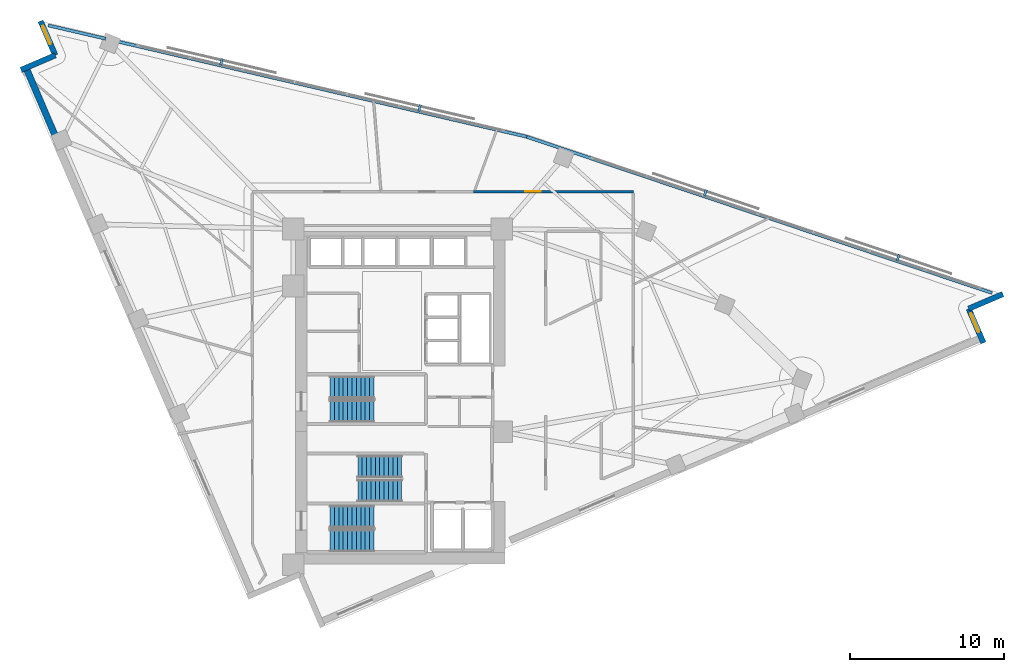
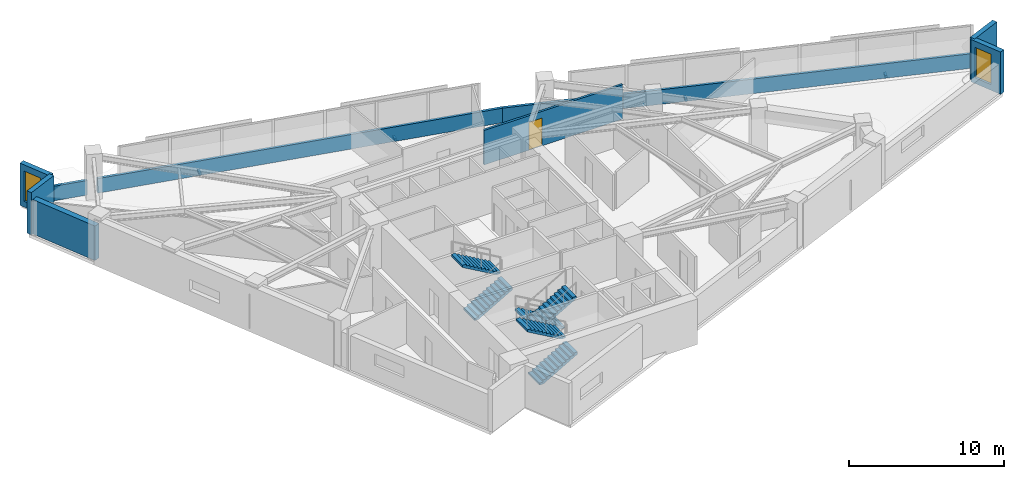
# One storey, part 12 of 14: 9 walls, 6 stair flights, 4 discrete accessories, 2 windows, 1 door, 3 openings, 3 elements without a shape of their own.
"""IFC4 building model written with IfcOpenShell, lengths in metres."""

from ifc_helpers import new_model, si_unit, direction, frame, frame_2d, origin, origin_2d, place, context, subcontext, project, spatial, polyline, rectangle, outline, extrude, material, layer, layer_set, type_object, element, fill, aggregate, save


model = new_model("IFC4")

# Units and contexts
model_context = context("Model", 3, precision=1e-05, world=origin(), true_north=direction((0.0, 1.0)))
body_context = subcontext(model_context, "Body", "Model", "MODEL_VIEW")
ifc_project = project(units=[si_unit("LENGTHUNIT", "METRE"), si_unit("AREAUNIT", "SQUARE_METRE"), si_unit("VOLUMEUNIT", "CUBIC_METRE"), si_unit("PLANEANGLEUNIT", "RADIAN"), si_unit("MASSUNIT", "GRAM", prefix="KILO")], contexts=[model_context])

# Site, building, storey
site_placement = place(None, origin())
site = spatial("IfcSite", under=ifc_project, at=site_placement, CompositionType="ELEMENT")
building_placement = place(site_placement, origin())
building = spatial("IfcBuilding", under=site, at=building_placement, Name="Narakoshi Arena Tower", CompositionType="ELEMENT")
storey_placement = place(building_placement, frame((0.0, 0.0, 175.5)))
storey = spatial("IfcBuildingStorey", under=building, at=storey_placement, Name="L47", CompositionType="ELEMENT", Elevation=175.5)

# Wall, opening, door
ifc_material_1 = material(Name="Gypsum plasterboard fire-rated partition")
ifc_layer_1 = layer(ifc_material_1, 0.1650390625)
ifc_layer_set_1 = layer_set([ifc_layer_1], Name="Gypsum plasterboard fire-rated partition")
wall_type_1 = type_object("IfcWallType", Name="WL-CORR-165", PredefinedType="PARTITIONING", material=ifc_layer_set_1)
wall_1_placement = place(storey_placement, frame((94.0849609375, 58.927978515625, 0.0), z_axis=(0.0, 0.0, 1.0), x_axis=(-1.0, 0.0, 0.0)))
wall_1 = element("IfcWall", 1, at=wall_1_placement, inside=storey, type_object=wall_type_1, Name="L47 Corridor Partition 05-1", PredefinedType="PARTITIONING", context=body_context, shape_type="SweptSolid", body=[
    extrude(rectangle(XDim=10.362548828125, YDim=0.1650390625, at=frame_2d((5.18115234375, 0.0))), origin(), (0.0, 0.0, 1.0), 2.72509765625),
])
opening_1_placement = place(wall_1_placement, frame((6.025634765625, 0.0, 0.0)))
opening_1 = element("IfcOpeningElement", 2, at=opening_1_placement, cuts=wall_1, Name="Opening D-06", PredefinedType="OPENING", context=body_context, shape_type="SweptSolid", body=[
    extrude(rectangle(XDim=1.0, YDim=2.199951171875, at=frame_2d((0.5, 1.10009765625))), frame((0.0, 0.092529296875, 0.0), z_axis=(0.0, -1.0, 0.0), x_axis=(1.0, 0.0, 0.0)), (0.0, 0.0, 1.0), 0.18505859375),
])
ifc_material_2 = material(Name="Stained oak solid-core timber", Category="wood")
door_type = type_object("IfcDoorType", Name="DR-OFF-1000", OperationType="NOTDEFINED", PredefinedType="DOOR", material=ifc_material_2)
door_placement = place(opening_1_placement, frame((1.0, 0.0, 0.0), z_axis=(0.0, 0.0, 1.0), x_axis=(-1.0, 0.0, 0.0)))
door = element("IfcDoor", 3, at=door_placement, inside=storey, type_object=door_type, Name="DR-L47-019", OperationType="SINGLE_SWING_LEFT", OverallHeight=2.199951171875, OverallWidth=1.0, PredefinedType="DOOR", context=body_context, shape_type="SweptSolid", body=[
    extrude(rectangle(XDim=1.0, YDim=2.199951171875, at=frame_2d((0.5, 1.10009765625))), frame((0.0, 0.02490234375, 0.0), z_axis=(0.0, -1.0, 0.0), x_axis=(1.0, 0.0, 0.0)), (0.0, 0.0, 1.0), 0.050048828125),
])
fill(opening_1, door)

# Walls
ifc_material_3 = material(Name="Precast concrete C45/55", Category="concrete")
ifc_layer_2 = layer(ifc_material_3, 0.25)
ifc_layer_set_2 = layer_set([ifc_layer_2], Name="Precast concrete C45/55")
wall_type_2 = type_object("IfcWallType", Name="WL-PARA-250", PredefinedType="PARAPET", material=ifc_layer_set_2)
wall_2_placement = place(storey_placement, frame((117.362548828125, 52.343505859375, 0.0), z_axis=(0.0, 0.0, 1.0), x_axis=(-0.94800468727, 0.31825636351, 0.0)))
element("IfcWall", 4, at=wall_2_placement, inside=storey, type_object=wall_type_2, Name="L47 Hypotenuse Sill Upstand Parapet 1-01", PredefinedType="PARAPET", context=body_context, shape_type="SweptSolid", body=[
    extrude(rectangle(XDim=31.869140625, YDim=0.199951171875, at=frame_2d((15.9345703125, 0.0))), origin(), (0.0, 0.0, 1.0), 1.14990234375),
])
wall_3_placement = place(storey_placement, frame((87.1650390625, 62.48193359375, 0.0), z_axis=(0.0, 0.0, 1.0), x_axis=(-0.973958631559, 0.226725790352, 0.0)))
element("IfcWall", 5, at=wall_3_placement, inside=storey, type_object=wall_type_2, Name="L47 Hypotenuse Sill Upstand Parapet 2-01", PredefinedType="PARAPET", context=body_context, shape_type="SweptSolid", body=[
    extrude(rectangle(XDim=27.375732421875, YDim=0.199951171875, at=frame_2d((13.68798828125, 0.0))), origin(), (0.0, 0.0, 1.0), 1.14990234375),
])
wall_4_placement = place(storey_placement, frame((59.8408203125, 68.842529296875, 0.0), z_axis=(0.0, 0.0, 1.0), x_axis=(-0.973951848941, 0.226754924851, 0.0)))
element("IfcWall", 6, at=wall_4_placement, inside=storey, type_object=wall_type_2, Name="L47 Hypotenuse Sill Upstand Parapet 2-02", PredefinedType="PARAPET", context=body_context, shape_type="SweptSolid", body=[
    extrude(rectangle(XDim=3.837158203125, YDim=0.199951171875, at=frame_2d((1.91845703125, 0.0))), origin(), (0.0, 0.0, 1.0), 1.14990234375),
])
ifc_layer_3 = layer(ifc_material_3, 0.419921875)
ifc_layer_set_3 = layer_set([ifc_layer_3], Name="Precast concrete C45/55")
wall_type_3 = type_object("IfcWallType", Name="WL-POD-420", PredefinedType="SOLIDWALL", material=ifc_layer_set_3)
wall_5_placement = place(storey_placement, frame((54.6708984375, 66.958984375, 0.0), z_axis=(0.0, 0.0, 1.0), x_axis=(0.394733507229, -0.918795656428, 0.0)))
element("IfcWall", 7, at=wall_5_placement, inside=storey, type_object=wall_type_3, Name="L47 Architectural Concrete Facade Wall LEGB-1", PredefinedType="SOLIDWALL", context=body_context, shape_type="SweptSolid", body=[
    extrude(rectangle(XDim=5.210205078125, YDim=0.419921875, at=frame_2d((2.60498046875, 0.0))), origin(), (0.0, 0.0, 1.0), 2.72509765625),
])

# Wall, opening, window
wall_6_placement = place(storey_placement, frame((116.8017578125, 49.105712890625, 0.0), z_axis=(0.0, 0.0, 1.0), x_axis=(-0.394712707157, 0.918804592288, 0.0)))
wall_6 = element("IfcWall", 8, at=wall_6_placement, inside=storey, type_object=wall_type_3, Name="L47 Re-Entrant Corner Notch Wall NTE-1", PredefinedType="SOLIDWALL", context=body_context, shape_type="SweptSolid", body=[
    extrude(rectangle(XDim=2.41357421875, YDim=0.360107421875, at=frame_2d((1.206787109375, 0.0))), origin(), (0.0, 0.0, 1.0), 3.340087890625),
])
opening_2_placement = place(wall_6_placement, frame((0.7734375, 0.0, 0.449951171875)))
opening_2 = element("IfcOpeningElement", 9, at=opening_2_placement, cuts=wall_6, Name="Opening WN-06", PredefinedType="OPENING", context=body_context, shape_type="SweptSolid", body=[
    extrude(rectangle(XDim=1.300048828125, YDim=2.39990234375, at=frame_2d((0.64990234375, 1.199951171875))), frame((0.0, 0.18994140625, 0.0), z_axis=(0.0, -1.0, 0.0), x_axis=(1.0, 0.0, 0.0)), (0.0, 0.0, 1.0), 0.380126953125),
])
ifc_material_4 = material(Name="Bronze-tinted low-E laminated glass", Category="glass")
window_type = type_object("IfcWindowType", Name="WIN-NTC-16x24", PartitioningType="SINGLE_PANEL", PredefinedType="WINDOW", material=ifc_material_4)
window_1_placement = place(opening_2_placement, origin())
window_1 = element("IfcWindow", 10, at=window_1_placement, inside=storey, type_object=window_type, Name="L47 Corner Notch Window NTE", OverallHeight=2.39990234375, OverallWidth=1.300048828125, PartitioningType="SINGLE_PANEL", PredefinedType="WINDOW", context=body_context, shape_type="SweptSolid", body=[
    extrude(rectangle(XDim=1.300048828125, YDim=2.39990234375, at=frame_2d((0.64990234375, 1.199951171875))), frame((0.0, 0.030029296875, 0.0), z_axis=(0.0, -1.0, 0.0), x_axis=(1.0, 0.0, 0.0)), (0.0, 0.0, 1.0), 0.06005859375),
])
fill(opening_2, window_1)

# Wall
wall_7_placement = place(storey_placement, frame((115.84912109375, 51.3232421875, 0.0), z_axis=(0.0, 0.0, 1.0), x_axis=(0.918788830096, 0.394749396062, 0.0)))
element("IfcWall", 11, at=wall_7_placement, inside=storey, type_object=wall_type_3, Name="L47 Re-Entrant Corner Notch Wall NTE-2", PredefinedType="SOLIDWALL", context=body_context, shape_type="SweptSolid", body=[
    extrude(rectangle(XDim=2.413330078125, YDim=0.360107421875, at=frame_2d((1.20654296875, 0.0))), origin(), (0.0, 0.0, 1.0), 3.340087890625),
])

# Wall, opening, window
wall_8_placement = place(storey_placement, frame((55.614013671875, 69.99072265625, 0.0), z_axis=(0.0, 0.0, 1.0), x_axis=(0.394663989422, -0.918825519592, 0.0)))
wall_8 = element("IfcWall", 12, at=wall_8_placement, inside=storey, type_object=wall_type_3, Name="L47 Re-Entrant Corner Notch Wall NTN-1", PredefinedType="SOLIDWALL", context=body_context, shape_type="SweptSolid", body=[
    extrude(rectangle(XDim=2.4130859375, YDim=0.360107421875, at=frame_2d((1.20654296875, 0.0))), origin(), (0.0, 0.0, 1.0), 3.340087890625),
])
opening_3_placement = place(wall_8_placement, frame((0.340087890625, 0.0, 0.449951171875)))
opening_3 = element("IfcOpeningElement", 13, at=opening_3_placement, cuts=wall_8, Name="Opening WN-06", PredefinedType="OPENING", context=body_context, shape_type="SweptSolid", body=[
    extrude(rectangle(XDim=1.300048828125, YDim=2.39990234375, at=frame_2d((0.64990234375, 1.199951171875))), frame((0.0, 0.18994140625, 0.0), z_axis=(0.0, -1.0, 0.0), x_axis=(1.0, 0.0, 0.0)), (0.0, 0.0, 1.0), 0.380126953125),
])
window_2_placement = place(opening_3_placement, origin())
window_2 = element("IfcWindow", 14, at=window_2_placement, inside=storey, type_object=window_type, Name="L47 Corner Notch Window NTN", OverallHeight=2.39990234375, OverallWidth=1.300048828125, PartitioningType="SINGLE_PANEL", PredefinedType="WINDOW", context=body_context, shape_type="SweptSolid", body=[
    extrude(rectangle(XDim=1.300048828125, YDim=2.39990234375, at=frame_2d((0.64990234375, 1.199951171875))), frame((0.0, 0.030029296875, 0.0), z_axis=(0.0, -1.0, 0.0), x_axis=(1.0, 0.0, 0.0)), (0.0, 0.0, 1.0), 0.06005859375),
])
fill(opening_3, window_2)

# Wall
wall_9_placement = place(storey_placement, frame((56.56640625, 67.7734375, 0.0), z_axis=(0.0, 0.0, 1.0), x_axis=(-0.918788830096, -0.394749396062, 0.0)))
element("IfcWall", 15, at=wall_9_placement, inside=storey, type_object=wall_type_3, Name="L47 Re-Entrant Corner Notch Wall NTN-2", PredefinedType="SOLIDWALL", context=body_context, shape_type="SweptSolid", body=[
    extrude(rectangle(XDim=2.413330078125, YDim=0.360107421875, at=frame_2d((1.20654296875, 0.0))), origin(), (0.0, 0.0, 1.0), 3.340087890625),
])

# Stair, stair flights
ifc_material_5 = material(Name="Concrete C45/55", Category="concrete")
stair_type = type_object("IfcStairType", Name="STR-CORE-360", PredefinedType="TWO_STRAIGHT_RUN_STAIR", material=ifc_material_5)
stair_1_placement = place(storey_placement, origin())
stair_1 = element("IfcStair", 16, at=stair_1_placement, inside=storey, type_object=stair_type, Name="L47 Core Escape Stair ST1", PredefinedType="TWO_STRAIGHT_RUN_STAIR")
stair_flight_type = type_object("IfcStairFlightType", Name="FLT-145-160", PredefinedType="STRAIGHT", material=ifc_material_3)
stair_flight_1_placement = place(storey_placement, frame((74.39990234375, 36.27490234375, 0.0), z_axis=(0.0, 0.0, 1.0), x_axis=(1.0, 0.0, 0.0)))
stair_flight_1 = element("IfcStairFlight", 17, at=stair_flight_1_placement, type_object=stair_flight_type, Name="ST1 flight 1", NumberOfRisers=11, NumberOfTreads=10, PredefinedType="STRAIGHT", RiserHeight=0.163636364, TreadLength=0.285, context=body_context, shape_type="SweptSolid", body=[
    extrude(outline(polyline([(0.0, 0.0), (0.0, 0.16357421875), (0.284912109375, 0.16357421875), (0.284912109375, 0.327392578125), (0.570068359375, 0.327392578125), (0.570068359375, 0.490966796875), (0.85498046875, 0.490966796875), (0.85498046875, 0.654541015625), (1.139892578125, 0.654541015625), (1.139892578125, 0.818115234375), (1.425048828125, 0.818115234375), (1.425048828125, 0.98193359375), (1.7099609375, 0.98193359375), (1.7099609375, 1.1455078125), (1.9951171875, 1.1455078125), (1.9951171875, 1.30908203125), (2.280029296875, 1.30908203125), (2.280029296875, 1.47265625), (2.56494140625, 1.47265625), (2.56494140625, 1.636474609375), (2.85009765625, 1.636474609375), (2.85009765625, 1.800048828125), (2.85009765625, 1.463623046875), (0.301025390625, 0.0), (0.0, 0.0)])), frame((0.0, 0.72509765625, 0.0), z_axis=(0.0, -1.0, 0.0), x_axis=(1.0, 0.0, 0.0)), (0.0, 0.0, 1.0), 1.449951171875),
])
stair_flight_2_placement = place(storey_placement, frame((77.25, 37.824951171875, 1.800048828125), z_axis=(0.0, 0.0, 1.0), x_axis=(-1.0, 0.0, 0.0)))
stair_flight_2 = element("IfcStairFlight", 18, at=stair_flight_2_placement, type_object=stair_flight_type, Name="ST1 flight 2", NumberOfRisers=11, NumberOfTreads=10, PredefinedType="STRAIGHT", RiserHeight=0.163636364, TreadLength=0.285, context=body_context, shape_type="SweptSolid", body=[
    extrude(outline(polyline([(0.0, 0.0), (0.0, 0.16357421875), (0.284912109375, 0.16357421875), (0.284912109375, 0.327392578125), (0.570068359375, 0.327392578125), (0.570068359375, 0.490966796875), (0.85498046875, 0.490966796875), (0.85498046875, 0.654541015625), (1.139892578125, 0.654541015625), (1.139892578125, 0.818115234375), (1.425048828125, 0.818115234375), (1.425048828125, 0.98193359375), (1.7099609375, 0.98193359375), (1.7099609375, 1.1455078125), (1.9951171875, 1.1455078125), (1.9951171875, 1.30908203125), (2.280029296875, 1.30908203125), (2.280029296875, 1.47265625), (2.56494140625, 1.47265625), (2.56494140625, 1.636474609375), (2.85009765625, 1.636474609375), (2.85009765625, 1.800048828125), (2.85009765625, 1.463623046875), (0.301025390625, 0.0), (0.0, 0.0)])), frame((0.0, 0.72509765625, 0.0), z_axis=(0.0, -1.0, 0.0), x_axis=(1.0, 0.0, 0.0)), (0.0, 0.0, 1.0), 1.449951171875),
])
aggregate(stair_1, [stair_flight_1, stair_flight_2])

stair_2_placement = place(storey_placement, origin())
stair_2 = element("IfcStair", 19, at=stair_2_placement, inside=storey, type_object=stair_type, Name="L47 Core Escape Stair ST2", PredefinedType="TWO_STRAIGHT_RUN_STAIR")
stair_flight_3_placement = place(storey_placement, frame((79.050048828125, 41.074951171875, 0.0), z_axis=(0.0, 0.0, 1.0), x_axis=(-1.0, 0.0, 0.0)))
stair_flight_3 = element("IfcStairFlight", 20, at=stair_flight_3_placement, type_object=stair_flight_type, Name="ST2 flight 1", NumberOfRisers=11, NumberOfTreads=10, PredefinedType="STRAIGHT", RiserHeight=0.163636364, TreadLength=0.285, context=body_context, shape_type="SweptSolid", body=[
    extrude(outline(polyline([(0.0, 0.0), (0.0, 0.16357421875), (0.284912109375, 0.16357421875), (0.284912109375, 0.327392578125), (0.570068359375, 0.327392578125), (0.570068359375, 0.490966796875), (0.85498046875, 0.490966796875), (0.85498046875, 0.654541015625), (1.139892578125, 0.654541015625), (1.139892578125, 0.818115234375), (1.425048828125, 0.818115234375), (1.425048828125, 0.98193359375), (1.7099609375, 0.98193359375), (1.7099609375, 1.1455078125), (1.9951171875, 1.1455078125), (1.9951171875, 1.30908203125), (2.280029296875, 1.30908203125), (2.280029296875, 1.47265625), (2.56494140625, 1.47265625), (2.56494140625, 1.636474609375), (2.85009765625, 1.636474609375), (2.85009765625, 1.800048828125), (2.85009765625, 1.463623046875), (0.301025390625, 0.0), (0.0, 0.0)])), frame((0.0, 0.72509765625, 0.0), z_axis=(0.0, -1.0, 0.0), x_axis=(1.0, 0.0, 0.0)), (0.0, 0.0, 1.0), 1.449951171875),
])
stair_flight_4_placement = place(storey_placement, frame((76.199951171875, 39.52490234375, 1.800048828125), z_axis=(0.0, 0.0, 1.0), x_axis=(1.0, 0.0, 0.0)))
stair_flight_4 = element("IfcStairFlight", 21, at=stair_flight_4_placement, type_object=stair_flight_type, Name="ST2 flight 2", NumberOfRisers=11, NumberOfTreads=10, PredefinedType="STRAIGHT", RiserHeight=0.163636364, TreadLength=0.285, context=body_context, shape_type="SweptSolid", body=[
    extrude(outline(polyline([(0.0, 0.0), (0.0, 0.16357421875), (0.284912109375, 0.16357421875), (0.284912109375, 0.327392578125), (0.570068359375, 0.327392578125), (0.570068359375, 0.490966796875), (0.85498046875, 0.490966796875), (0.85498046875, 0.654541015625), (1.139892578125, 0.654541015625), (1.139892578125, 0.818115234375), (1.425048828125, 0.818115234375), (1.425048828125, 0.98193359375), (1.7099609375, 0.98193359375), (1.7099609375, 1.1455078125), (1.9951171875, 1.1455078125), (1.9951171875, 1.30908203125), (2.280029296875, 1.30908203125), (2.280029296875, 1.47265625), (2.56494140625, 1.47265625), (2.56494140625, 1.636474609375), (2.85009765625, 1.636474609375), (2.85009765625, 1.800048828125), (2.85009765625, 1.463623046875), (0.301025390625, 0.0), (0.0, 0.0)])), frame((0.0, 0.72509765625, 0.0), z_axis=(0.0, -1.0, 0.0), x_axis=(1.0, 0.0, 0.0)), (0.0, 0.0, 1.0), 1.449951171875),
])
aggregate(stair_2, [stair_flight_3, stair_flight_4])

stair_3_placement = place(storey_placement, origin())
stair_3 = element("IfcStair", 22, at=stair_3_placement, inside=storey, type_object=stair_type, Name="L47 Core Escape Stair ST3", PredefinedType="TWO_STRAIGHT_RUN_STAIR")
stair_flight_5_placement = place(storey_placement, frame((74.39990234375, 44.675048828125, 0.0), z_axis=(0.0, 0.0, 1.0), x_axis=(1.0, 0.0, 0.0)))
stair_flight_5 = element("IfcStairFlight", 23, at=stair_flight_5_placement, type_object=stair_flight_type, Name="ST3 flight 1", NumberOfRisers=11, NumberOfTreads=10, PredefinedType="STRAIGHT", RiserHeight=0.163636364, TreadLength=0.285, context=body_context, shape_type="SweptSolid", body=[
    extrude(outline(polyline([(0.0, 0.0), (0.0, 0.16357421875), (0.284912109375, 0.16357421875), (0.284912109375, 0.327392578125), (0.570068359375, 0.327392578125), (0.570068359375, 0.490966796875), (0.85498046875, 0.490966796875), (0.85498046875, 0.654541015625), (1.139892578125, 0.654541015625), (1.139892578125, 0.818115234375), (1.425048828125, 0.818115234375), (1.425048828125, 0.98193359375), (1.7099609375, 0.98193359375), (1.7099609375, 1.1455078125), (1.9951171875, 1.1455078125), (1.9951171875, 1.30908203125), (2.280029296875, 1.30908203125), (2.280029296875, 1.47265625), (2.56494140625, 1.47265625), (2.56494140625, 1.636474609375), (2.85009765625, 1.636474609375), (2.85009765625, 1.800048828125), (2.85009765625, 1.463623046875), (0.301025390625, 0.0), (0.0, 0.0)])), frame((0.0, 0.72509765625, 0.0), z_axis=(0.0, -1.0, 0.0), x_axis=(1.0, 0.0, 0.0)), (0.0, 0.0, 1.0), 1.449951171875),
])
stair_flight_6_placement = place(storey_placement, frame((77.25, 46.22509765625, 1.800048828125), z_axis=(0.0, 0.0, 1.0), x_axis=(-1.0, 0.0, 0.0)))
stair_flight_6 = element("IfcStairFlight", 24, at=stair_flight_6_placement, type_object=stair_flight_type, Name="ST3 flight 2", NumberOfRisers=11, NumberOfTreads=10, PredefinedType="STRAIGHT", RiserHeight=0.163636364, TreadLength=0.285, context=body_context, shape_type="SweptSolid", body=[
    extrude(outline(polyline([(0.0, 0.0), (0.0, 0.16357421875), (0.284912109375, 0.16357421875), (0.284912109375, 0.327392578125), (0.570068359375, 0.327392578125), (0.570068359375, 0.490966796875), (0.85498046875, 0.490966796875), (0.85498046875, 0.654541015625), (1.139892578125, 0.654541015625), (1.139892578125, 0.818115234375), (1.425048828125, 0.818115234375), (1.425048828125, 0.98193359375), (1.7099609375, 0.98193359375), (1.7099609375, 1.1455078125), (1.9951171875, 1.1455078125), (1.9951171875, 1.30908203125), (2.280029296875, 1.30908203125), (2.280029296875, 1.47265625), (2.56494140625, 1.47265625), (2.56494140625, 1.636474609375), (2.85009765625, 1.636474609375), (2.85009765625, 1.800048828125), (2.85009765625, 1.463623046875), (0.301025390625, 0.0), (0.0, 0.0)])), frame((0.0, 0.72509765625, 0.0), z_axis=(0.0, -1.0, 0.0), x_axis=(1.0, 0.0, 0.0)), (0.0, 0.0, 1.0), 1.449951171875),
])
aggregate(stair_3, [stair_flight_5, stair_flight_6])

# Discrete accessories
ifc_material_6 = material(Name="Structural steel S355J2", Category="steel")
discrete_accessory_type = type_object("IfcDiscreteAccessoryType", Name="ACC-BRK-SCR", PredefinedType="BRACKET", material=ifc_material_6)
for number, where, z_axis, x_axis, name in (
    (25, (111.266357421875, 54.64306640625, -0.080078125), (0.0, 0.0, 1.0), (-0.948001964735, 0.318264473134, 0.0), "L47 Solar Screen Support Bracket SHD-L47-SCR1-1"),
    (26, (98.752685546875, 58.84423828125, -0.080078125), (0.0, 0.0, 1.0), (-0.948001964735, 0.318264473134, 0.0), "L47 Solar Screen Support Bracket SHD-L47-SCR1-2"),
    (27, (80.206787109375, 64.34814453125, -0.080078125), (0.0, 0.0, 1.0), (-0.973960141659, 0.226719303234, 0.0), "L47 Solar Screen Support Bracket SHD-L47-SCR2-1"),
    (28, (67.3505859375, 67.3408203125, -0.080078125), (0.0, 0.0, 1.0), (-0.973960141659, 0.226719303234, 0.0), "L47 Solar Screen Support Bracket SHD-L47-SCR2-2"),
):
    element("IfcDiscreteAccessory", number, at=place(storey_placement, frame(where, z_axis=z_axis, x_axis=x_axis)), inside=storey, type_object=discrete_accessory_type, Name=name, PredefinedType="BRACKET", context=body_context, shape_type="SweptSolid", body=[
        extrude(rectangle(XDim=0.159912109375, YDim=0.43994140625, at=origin_2d()), origin(), (0.0, 0.0, 1.0), 0.199951171875),
    ])

save(model, "model.ifc")
